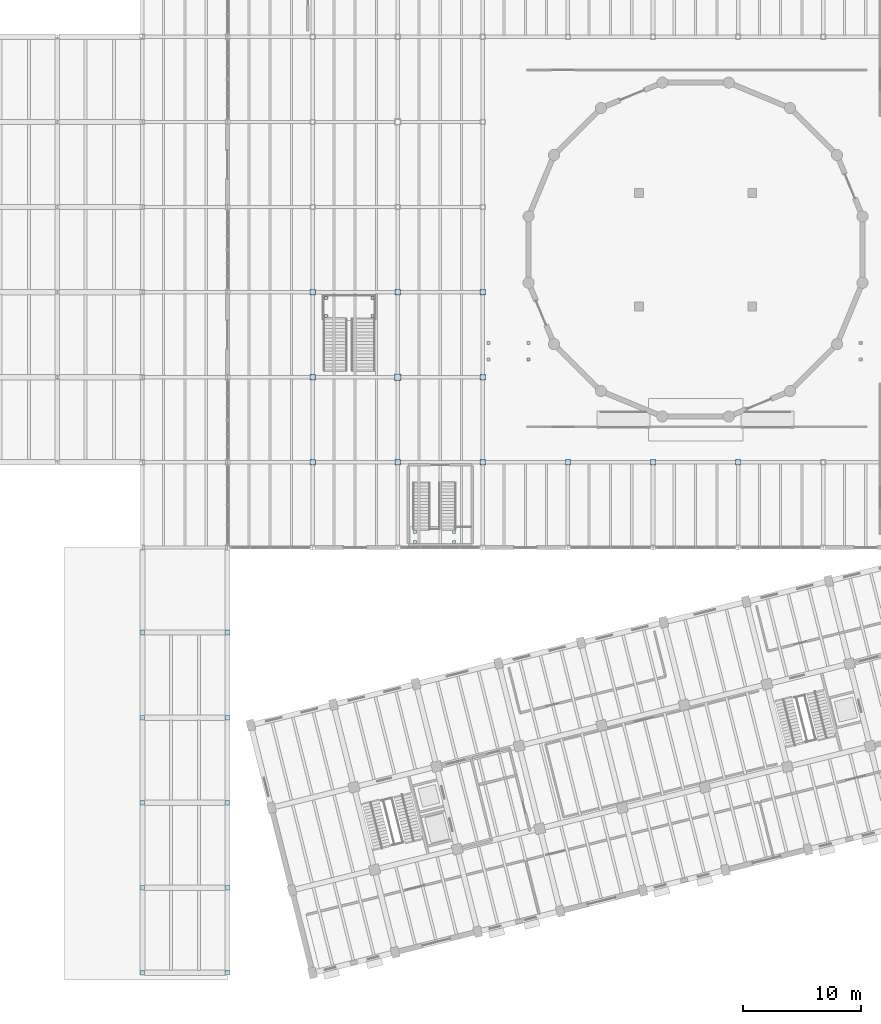
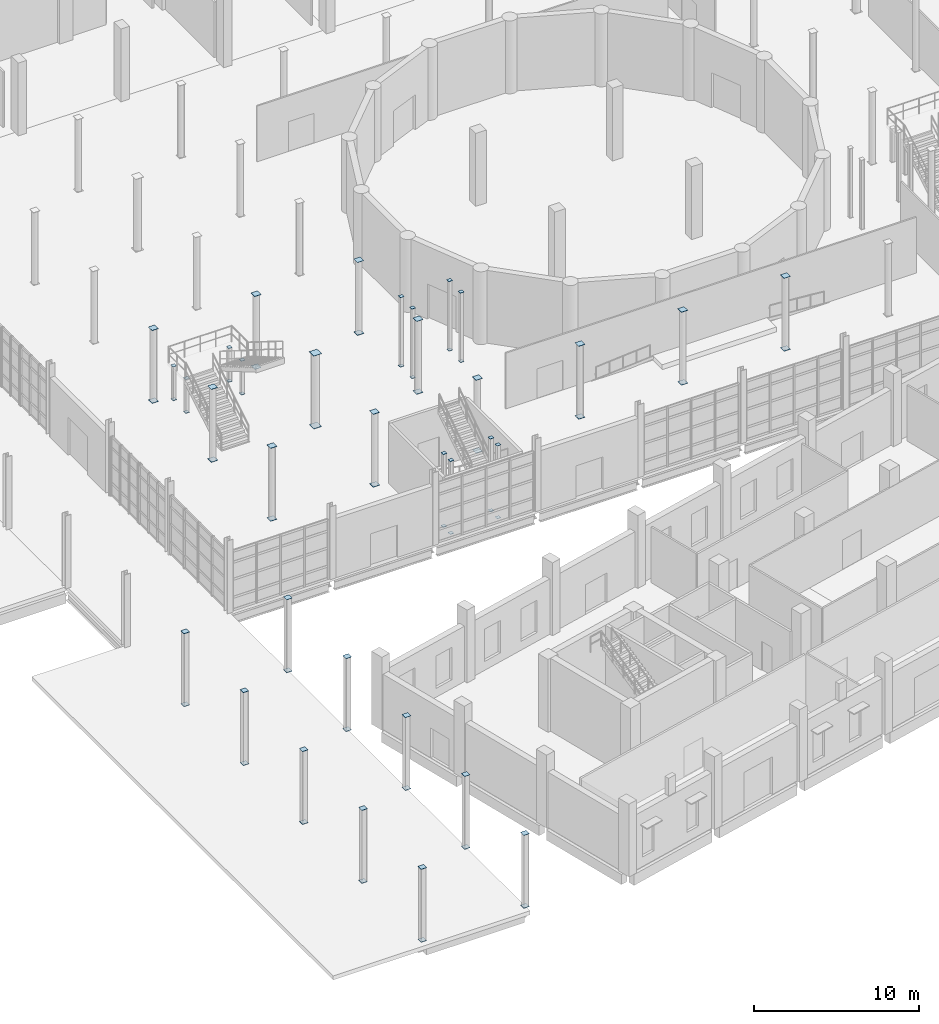
# One storey, part 60 of 79: 68 plates.
"""IFC4 building model written with IfcOpenShell, lengths in metres."""

from ifc_helpers import new_model, si_unit, direction, frame, origin, origin_2d, place, context, subcontext, project, spatial, rectangle, extrude, material, layer, layer_set, type_object, element, save


model = new_model("IFC4")

# Units and contexts
model_context = context("Model", 3, precision=1e-05, world=origin(), true_north=direction((0.0, 1.0)))
body_context = subcontext(model_context, "Body", "Model", "MODEL_VIEW")
ifc_project = project(units=[si_unit("LENGTHUNIT", "METRE"), si_unit("AREAUNIT", "SQUARE_METRE"), si_unit("VOLUMEUNIT", "CUBIC_METRE"), si_unit("PLANEANGLEUNIT", "RADIAN"), si_unit("MASSUNIT", "GRAM", prefix="KILO")], contexts=[model_context])

# Site, building, storey
site_placement = place(None, origin())
site = spatial("IfcSite", under=ifc_project, at=site_placement, CompositionType="ELEMENT")
building_placement = place(site_placement, origin())
building = spatial("IfcBuilding", under=site, at=building_placement, Name="Qiaolan Assembly House", CompositionType="ELEMENT")
storey_placement = place(building_placement, origin())
storey = spatial("IfcBuildingStorey", under=building, at=storey_placement, Name="L00", CompositionType="ELEMENT", Elevation=0.0)

# Plates
ifc_material = material(Name="Steel Q355B", Category="steel")
ifc_layer = layer(ifc_material, 0.02001953125)
ifc_layer_set = layer_set([ifc_layer], Name="Steel Q355B")
plate_type = type_object("IfcPlateType", Name="PLT-CAP-STL-20", PredefinedType="SHEET", material=ifc_layer_set)
for number, where, z_axis, x_axis, name in (
    (1, (36.0, 43.199951171875, -0.010009765625), (0.0, 0.0, 1.0), (1.0, 0.0, 0.0), "NP-04 steel hollow-section seal cap plate 1"),
    (2, (36.0, 43.199951171875, 5.389892578125), (0.0, 0.0, 1.0), (1.0, 0.0, 0.0), "NP-04 steel hollow-section seal cap plate 2"),
    (3, (36.0, 50.39990234375, -0.010009765625), (0.0, 0.0, 1.0), (1.0, 0.0, 0.0), "NP-04 steel hollow-section seal cap plate 3"),
    (4, (36.0, 50.39990234375, 5.389892578125), (0.0, 0.0, 1.0), (1.0, 0.0, 0.0), "NP-04 steel hollow-section seal cap plate 4"),
    (5, (36.0, 57.60009765625, -0.010009765625), (0.0, 0.0, 1.0), (1.0, 0.0, 0.0), "NP-04 steel hollow-section seal cap plate 5"),
    (6, (36.0, 57.60009765625, 5.389892578125), (0.0, 0.0, 1.0), (1.0, 0.0, 0.0), "NP-04 steel hollow-section seal cap plate 6"),
    (7, (43.199951171875, 43.199951171875, -0.010009765625), (0.0, 0.0, 1.0), (1.0, 0.0, 0.0), "NP-04 steel hollow-section seal cap plate 13"),
    (8, (43.199951171875, 43.199951171875, 5.389892578125), (0.0, 0.0, 1.0), (1.0, 0.0, 0.0), "NP-04 steel hollow-section seal cap plate 14"),
):
    element("IfcPlate", number, at=place(storey_placement, frame(where, z_axis=z_axis, x_axis=x_axis)), inside=storey, type_object=plate_type, Name=name, PredefinedType="SHEET", context=body_context, shape_type="SweptSolid", body=[
        extrude(rectangle(XDim=0.446044921875, YDim=0.446044921875, at=origin_2d()), origin(), (0.0, 0.0, 1.0), 0.02001953125),
    ])
for number, where, z_axis, x_axis, name in (
    (9, (43.199951171875, 50.39990234375, -0.010009765625), (0.0, 0.0, 1.0), (1.0, 0.0, 0.0), "NP-04 steel hollow-section seal cap plate 15"),
    (10, (43.199951171875, 50.39990234375, 5.389892578125), (0.0, 0.0, 1.0), (1.0, 0.0, 0.0), "NP-04 steel hollow-section seal cap plate 16"),
):
    element("IfcPlate", number, at=place(storey_placement, frame(where, z_axis=z_axis, x_axis=x_axis)), inside=storey, type_object=plate_type, Name=name, PredefinedType="SHEET", context=body_context, shape_type="SweptSolid", body=[
        extrude(rectangle(XDim=0.548095703125, YDim=0.548095703125, at=origin_2d()), origin(), (0.0, 0.0, 1.0), 0.02001953125),
    ])
for number, where, z_axis, x_axis, name in (
    (11, (43.199951171875, 57.60009765625, -0.010009765625), (0.0, 0.0, 1.0), (1.0, 0.0, 0.0), "NP-04 steel hollow-section seal cap plate 17"),
    (12, (43.199951171875, 57.60009765625, 5.389892578125), (0.0, 0.0, 1.0), (1.0, 0.0, 0.0), "NP-04 steel hollow-section seal cap plate 18"),
    (13, (50.39990234375, 43.199951171875, -0.010009765625), (0.0, 0.0, 1.0), (1.0, 0.0, 0.0), "NP-04 steel hollow-section seal cap plate 25"),
    (14, (50.39990234375, 43.199951171875, 5.389892578125), (0.0, 0.0, 1.0), (1.0, 0.0, 0.0), "NP-04 steel hollow-section seal cap plate 26"),
    (15, (50.39990234375, 50.39990234375, -0.010009765625), (0.0, 0.0, 1.0), (1.0, 0.0, 0.0), "NP-04 steel hollow-section seal cap plate 27"),
    (16, (50.39990234375, 50.39990234375, 5.389892578125), (0.0, 0.0, 1.0), (1.0, 0.0, 0.0), "NP-04 steel hollow-section seal cap plate 28"),
    (17, (50.39990234375, 57.60009765625, -0.010009765625), (0.0, 0.0, 1.0), (1.0, 0.0, 0.0), "NP-04 steel hollow-section seal cap plate 29"),
    (18, (50.39990234375, 57.60009765625, 5.389892578125), (0.0, 0.0, 1.0), (1.0, 0.0, 0.0), "NP-04 steel hollow-section seal cap plate 30"),
    (19, (57.60009765625, 43.199951171875, -0.010009765625), (0.0, 0.0, 1.0), (1.0, 0.0, 0.0), "NP-04 steel hollow-section seal cap plate 37"),
    (20, (57.60009765625, 43.199951171875, 5.389892578125), (0.0, 0.0, 1.0), (1.0, 0.0, 0.0), "NP-04 steel hollow-section seal cap plate 38"),
    (21, (64.800048828125, 43.199951171875, -0.010009765625), (0.0, 0.0, 1.0), (1.0, 0.0, 0.0), "NP-04 steel hollow-section seal cap plate 41"),
    (22, (64.800048828125, 43.199951171875, 5.389892578125), (0.0, 0.0, 1.0), (1.0, 0.0, 0.0), "NP-04 steel hollow-section seal cap plate 42"),
    (23, (72.0, 43.199951171875, -0.010009765625), (0.0, 0.0, 1.0), (1.0, 0.0, 0.0), "NP-04 steel hollow-section seal cap plate 45"),
    (24, (72.0, 43.199951171875, 5.389892578125), (0.0, 0.0, 1.0), (1.0, 0.0, 0.0), "NP-04 steel hollow-section seal cap plate 46"),
):
    element("IfcPlate", number, at=place(storey_placement, frame(where, z_axis=z_axis, x_axis=x_axis)), inside=storey, type_object=plate_type, Name=name, PredefinedType="SHEET", context=body_context, shape_type="SweptSolid", body=[
        extrude(rectangle(XDim=0.446044921875, YDim=0.446044921875, at=origin_2d()), origin(), (0.0, 0.0, 1.0), 0.02001953125),
    ])
for number, where, z_axis, x_axis, name in (
    (25, (21.60009765625, 0.0, -0.010009765625), (0.0, 0.0, 1.0), (1.0, 0.0, 0.0), "NP-04 steel hollow-section seal cap plate 201"),
    (26, (21.60009765625, 0.0, 5.389892578125), (0.0, 0.0, 1.0), (1.0, 0.0, 0.0), "NP-04 steel hollow-section seal cap plate 202"),
    (27, (21.60009765625, 7.199951171875, -0.010009765625), (0.0, 0.0, 1.0), (1.0, 0.0, 0.0), "NP-04 steel hollow-section seal cap plate 203"),
    (28, (21.60009765625, 7.199951171875, 5.389892578125), (0.0, 0.0, 1.0), (1.0, 0.0, 0.0), "NP-04 steel hollow-section seal cap plate 204"),
    (29, (21.60009765625, 14.39990234375, -0.010009765625), (0.0, 0.0, 1.0), (1.0, 0.0, 0.0), "NP-04 steel hollow-section seal cap plate 205"),
    (30, (21.60009765625, 14.39990234375, 5.389892578125), (0.0, 0.0, 1.0), (1.0, 0.0, 0.0), "NP-04 steel hollow-section seal cap plate 206"),
    (31, (21.60009765625, 21.60009765625, -0.010009765625), (0.0, 0.0, 1.0), (1.0, 0.0, 0.0), "NP-04 steel hollow-section seal cap plate 207"),
    (32, (21.60009765625, 21.60009765625, 5.389892578125), (0.0, 0.0, 1.0), (1.0, 0.0, 0.0), "NP-04 steel hollow-section seal cap plate 208"),
    (33, (21.60009765625, 28.800048828125, -0.010009765625), (0.0, 0.0, 1.0), (1.0, 0.0, 0.0), "NP-04 steel hollow-section seal cap plate 209"),
    (34, (21.60009765625, 28.800048828125, 5.389892578125), (0.0, 0.0, 1.0), (1.0, 0.0, 0.0), "NP-04 steel hollow-section seal cap plate 210"),
    (35, (28.800048828125, 0.0, -0.010009765625), (0.0, 0.0, 1.0), (1.0, 0.0, 0.0), "NP-04 steel hollow-section seal cap plate 211"),
    (36, (28.800048828125, 0.0, 5.389892578125), (0.0, 0.0, 1.0), (1.0, 0.0, 0.0), "NP-04 steel hollow-section seal cap plate 212"),
    (37, (28.800048828125, 7.199951171875, -0.010009765625), (0.0, 0.0, 1.0), (1.0, 0.0, 0.0), "NP-04 steel hollow-section seal cap plate 213"),
    (38, (28.800048828125, 7.199951171875, 5.389892578125), (0.0, 0.0, 1.0), (1.0, 0.0, 0.0), "NP-04 steel hollow-section seal cap plate 214"),
    (39, (28.800048828125, 14.39990234375, -0.010009765625), (0.0, 0.0, 1.0), (1.0, 0.0, 0.0), "NP-04 steel hollow-section seal cap plate 215"),
    (40, (28.800048828125, 14.39990234375, 5.389892578125), (0.0, 0.0, 1.0), (1.0, 0.0, 0.0), "NP-04 steel hollow-section seal cap plate 216"),
    (41, (28.800048828125, 21.60009765625, -0.010009765625), (0.0, 0.0, 1.0), (1.0, 0.0, 0.0), "NP-04 steel hollow-section seal cap plate 217"),
    (42, (28.800048828125, 21.60009765625, 5.389892578125), (0.0, 0.0, 1.0), (1.0, 0.0, 0.0), "NP-04 steel hollow-section seal cap plate 218"),
    (43, (28.800048828125, 28.800048828125, -0.010009765625), (0.0, 0.0, 1.0), (1.0, 0.0, 0.0), "NP-04 steel hollow-section seal cap plate 219"),
    (44, (28.800048828125, 28.800048828125, 5.389892578125), (0.0, 0.0, 1.0), (1.0, 0.0, 0.0), "NP-04 steel hollow-section seal cap plate 220"),
):
    element("IfcPlate", number, at=place(storey_placement, frame(where, z_axis=z_axis, x_axis=x_axis)), inside=storey, type_object=plate_type, Name=name, PredefinedType="SHEET", context=body_context, shape_type="SweptSolid", body=[
        extrude(rectangle(XDim=0.389892578125, YDim=0.389892578125, at=origin_2d()), origin(), (0.0, 0.0, 1.0), 0.02001953125),
    ])
for number, where, z_axis, x_axis, name in (
    (45, (37.14990234375, 55.570068359375, -0.010009765625), (0.0, 0.0, 1.0), (1.0, 0.0, 0.0), "NP-04 steel hollow-section seal cap plate 301"),
    (46, (37.14990234375, 55.570068359375, 2.489990234375), (0.0, 0.0, 1.0), (1.0, 0.0, 0.0), "NP-04 steel hollow-section seal cap plate 302"),
    (47, (41.050048828125, 55.570068359375, -0.010009765625), (0.0, 0.0, 1.0), (1.0, 0.0, 0.0), "NP-04 steel hollow-section seal cap plate 303"),
    (48, (41.050048828125, 55.570068359375, 2.489990234375), (0.0, 0.0, 1.0), (1.0, 0.0, 0.0), "NP-04 steel hollow-section seal cap plate 304"),
    (49, (37.14990234375, 57.1201171875, -0.010009765625), (0.0, 0.0, 1.0), (1.0, 0.0, 0.0), "NP-04 steel hollow-section seal cap plate 305"),
    (50, (37.14990234375, 57.1201171875, 2.489990234375), (0.0, 0.0, 1.0), (1.0, 0.0, 0.0), "NP-04 steel hollow-section seal cap plate 306"),
    (51, (41.050048828125, 57.1201171875, -0.010009765625), (0.0, 0.0, 1.0), (1.0, 0.0, 0.0), "NP-04 steel hollow-section seal cap plate 307"),
    (52, (41.050048828125, 57.1201171875, 2.489990234375), (0.0, 0.0, 1.0), (1.0, 0.0, 0.0), "NP-04 steel hollow-section seal cap plate 308"),
    (53, (50.8798828125, 51.889892578125, -0.010009765625), (0.0, 0.0, 1.0), (1.0, 0.0, 0.0), "NP-04 steel hollow-section seal cap plate 319"),
    (54, (50.8798828125, 51.889892578125, 5.139892578125), (0.0, 0.0, 1.0), (1.0, 0.0, 0.0), "NP-04 steel hollow-section seal cap plate 320"),
    (55, (54.280029296875, 51.889892578125, -0.010009765625), (0.0, 0.0, 1.0), (1.0, 0.0, 0.0), "NP-04 steel hollow-section seal cap plate 323"),
    (56, (54.280029296875, 51.889892578125, 5.139892578125), (0.0, 0.0, 1.0), (1.0, 0.0, 0.0), "NP-04 steel hollow-section seal cap plate 324"),
    (57, (50.8798828125, 53.2900390625, -0.010009765625), (0.0, 0.0, 1.0), (1.0, 0.0, 0.0), "NP-04 steel hollow-section seal cap plate 327"),
    (58, (50.8798828125, 53.2900390625, 5.139892578125), (0.0, 0.0, 1.0), (1.0, 0.0, 0.0), "NP-04 steel hollow-section seal cap plate 328"),
    (59, (54.280029296875, 53.2900390625, -0.010009765625), (0.0, 0.0, 1.0), (1.0, 0.0, 0.0), "NP-04 steel hollow-section seal cap plate 331"),
    (60, (54.280029296875, 53.2900390625, 5.139892578125), (0.0, 0.0, 1.0), (1.0, 0.0, 0.0), "NP-04 steel hollow-section seal cap plate 332"),
    (61, (44.64990234375, 36.449951171875, -0.010009765625), (0.0, 0.0, 1.0), (1.0, 0.0, 0.0), "NP-04 steel hollow-section seal cap plate 349"),
    (62, (44.64990234375, 36.449951171875, 5.389892578125), (0.0, 0.0, 1.0), (1.0, 0.0, 0.0), "NP-04 steel hollow-section seal cap plate 350"),
    (63, (47.949951171875, 36.449951171875, -0.010009765625), (0.0, 0.0, 1.0), (1.0, 0.0, 0.0), "NP-04 steel hollow-section seal cap plate 353"),
    (64, (47.949951171875, 36.449951171875, 5.389892578125), (0.0, 0.0, 1.0), (1.0, 0.0, 0.0), "NP-04 steel hollow-section seal cap plate 354"),
    (65, (44.64990234375, 37.300048828125, -0.010009765625), (0.0, 0.0, 1.0), (1.0, 0.0, 0.0), "NP-04 steel hollow-section seal cap plate 357"),
    (66, (44.64990234375, 37.300048828125, 5.389892578125), (0.0, 0.0, 1.0), (1.0, 0.0, 0.0), "NP-04 steel hollow-section seal cap plate 358"),
    (67, (47.949951171875, 37.300048828125, -0.010009765625), (0.0, 0.0, 1.0), (1.0, 0.0, 0.0), "NP-04 steel hollow-section seal cap plate 361"),
    (68, (47.949951171875, 37.300048828125, 5.389892578125), (0.0, 0.0, 1.0), (1.0, 0.0, 0.0), "NP-04 steel hollow-section seal cap plate 362"),
):
    element("IfcPlate", number, at=place(storey_placement, frame(where, z_axis=z_axis, x_axis=x_axis)), inside=storey, type_object=plate_type, Name=name, PredefinedType="SHEET", context=body_context, shape_type="SweptSolid", body=[
        extrude(rectangle(XDim=0.260009765625, YDim=0.260009765625, at=origin_2d()), origin(), (0.0, 0.0, 1.0), 0.02001953125),
    ])

save(model, "model.ifc")
